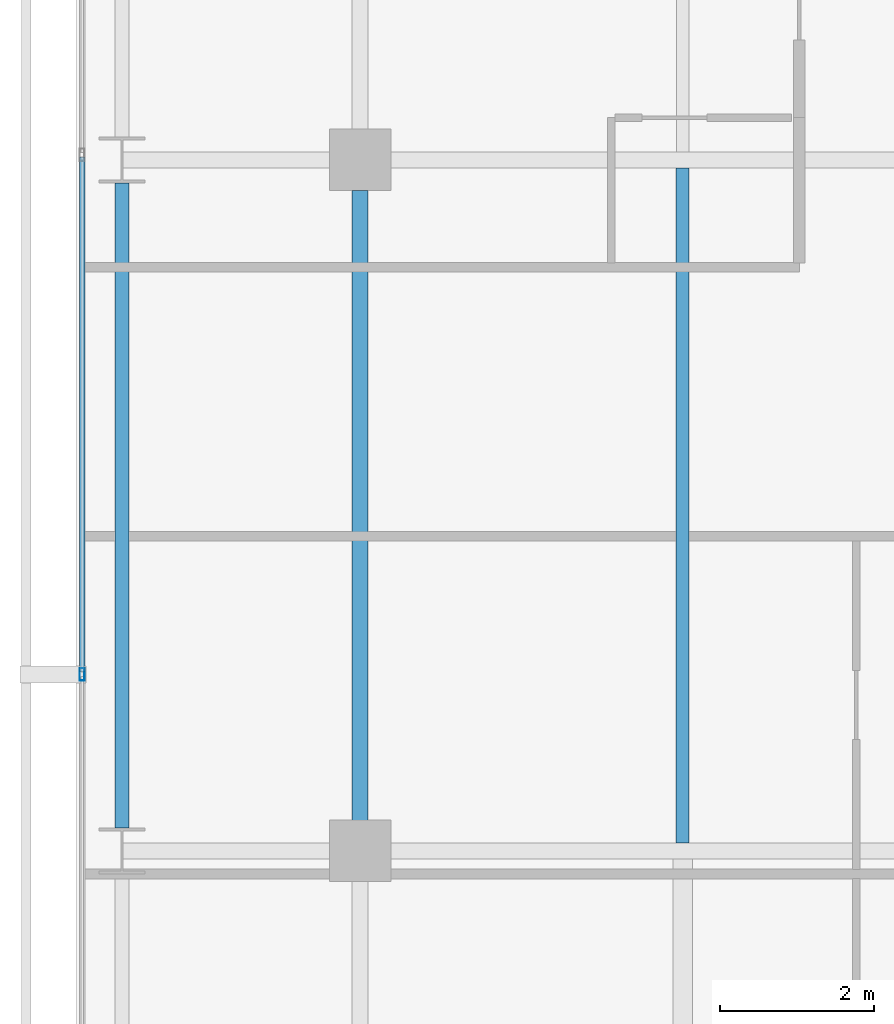
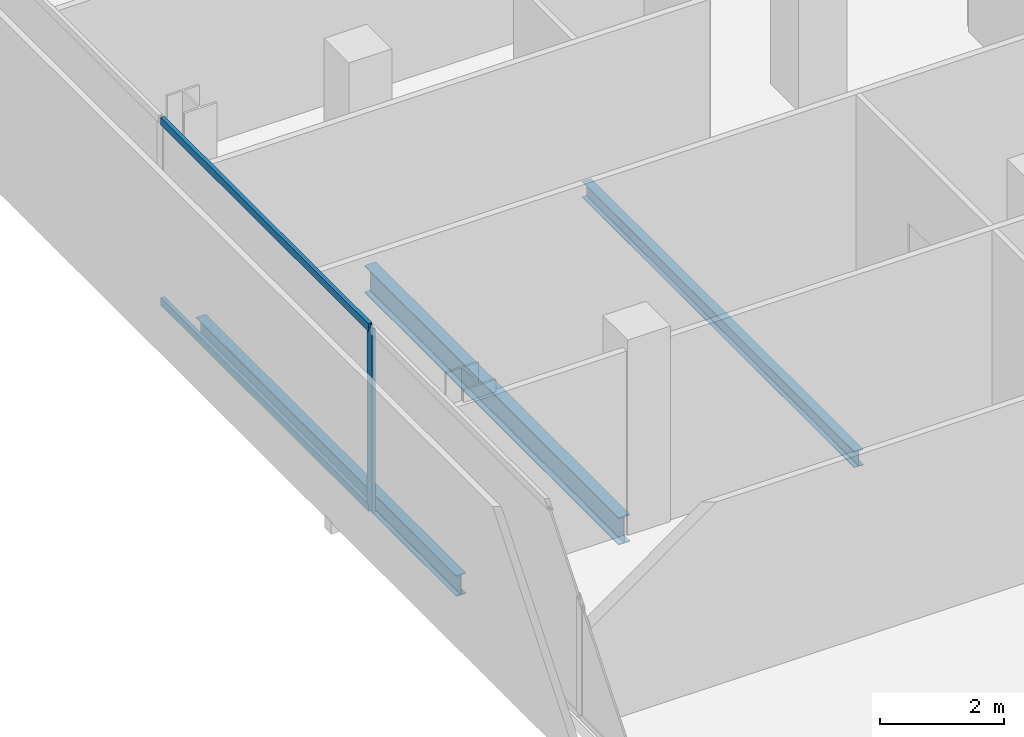
# One storey, part 10 of 34: 3 beams, 3 members, 1 element without a shape of its own.
"""IFC4 building model written with IfcOpenShell, lengths in metres."""

from ifc_helpers import new_model, si_unit, direction, frame, origin, origin_2d, place, context, subcontext, project, spatial, hollow_rectangle, i_section, extrude, material, layer, layer_set, material_profile, profile_set, type_object, element, aggregate, save


model = new_model("IFC4")

# Units and contexts
model_context = context("Model", 3, precision=1e-05, world=origin(), true_north=direction((0.0, 1.0)))
body_context = subcontext(model_context, "Body", "Model", "MODEL_VIEW")
ifc_project = project(units=[si_unit("LENGTHUNIT", "METRE"), si_unit("AREAUNIT", "SQUARE_METRE"), si_unit("VOLUMEUNIT", "CUBIC_METRE"), si_unit("PLANEANGLEUNIT", "RADIAN"), si_unit("MASSUNIT", "GRAM", prefix="KILO")], contexts=[model_context])

# Site, building, storey
site_placement = place(None, origin())
site = spatial("IfcSite", under=ifc_project, at=site_placement, CompositionType="ELEMENT")
building_placement = place(site_placement, origin())
building = spatial("IfcBuilding", under=site, at=building_placement, Name="Maruvema Waterfront Hotel and Observation Tower", CompositionType="ELEMENT")
storey_placement = place(building_placement, frame((0.0, 0.0, 208.25)))
storey = spatial("IfcBuildingStorey", under=building, at=storey_placement, Name="L51", CompositionType="ELEMENT", Elevation=208.25)

# Curtain wall, members
ifc_material_1 = material(Name="Anodised bronze aluminium and solar-control low-E IGU", Category="aluminium")
ifc_layer = layer(ifc_material_1, 0.159912109375, Name="Zone 2 Amber Inner Thermal Curtain Wall System CW-03")
ifc_layer_set = layer_set([ifc_layer], Name="Anodised bronze aluminium and solar-control low-E IGU")
curtain_wall_type = type_object("IfcCurtainWallType", Name="Zone 2 Amber Inner Thermal Curtain Wall System CW-03", PredefinedType="USERDEFINED", material=ifc_layer_set)
curtain_wall_placement = place(storey_placement, origin())
curtain_wall = element("IfcCurtainWall", 1, at=curtain_wall_placement, inside=storey, type_object=curtain_wall_type, Name="L51 Curtain Wall CW-L51-W", ObjectType="UNITISED CURTAIN WALL", PredefinedType="USERDEFINED")
ifc_material_2 = material(Name="Anodised architectural bronze aluminium", Category="aluminium")
ifc_material_profile_1 = material_profile(ifc_material_2, hollow_rectangle(XDim=0.070068359375, YDim=0.14990234375, WallThickness=0.00390625, at=origin_2d()), Name="ALU-T70x150")
ifc_profile_set_1 = profile_set([ifc_material_profile_1], Name="Anodised architectural bronze aluminium")
member_type_1 = type_object("IfcMemberType", Name="Curtain Wall Horizontal Transom ALU-T70x150", PredefinedType="USERDEFINED", material=ifc_profile_set_1)
member_1_placement = place(storey_placement, frame((13.179931640625, 36.03662109375, 0.030029296875), z_axis=(0.0, -1.0, 0.0), x_axis=(1.0, 0.0, 0.0)))
member_1 = element("IfcMember", 2, at=member_1_placement, type_object=member_type_1, Name="CW-03 transom 3.1", ObjectType="TRANSOM", PredefinedType="USERDEFINED", context=body_context, shape_type="SweptSolid", body=[
    extrude(hollow_rectangle(XDim=0.070068359375, YDim=0.14990234375, WallThickness=0.00390625, at=origin_2d()), origin(), (0.0, 0.0, 1.0), 6.70654296875),
])
member_2_placement = place(storey_placement, frame((13.179931640625, 36.03662109375, 3.580078125), z_axis=(0.0, -1.0, 0.0), x_axis=(1.0, 0.0, 0.0)))
member_2 = element("IfcMember", 3, at=member_2_placement, type_object=member_type_1, Name="CW-03 transom 3.2", ObjectType="TRANSOM", PredefinedType="USERDEFINED", context=body_context, shape_type="SweptSolid", body=[
    extrude(hollow_rectangle(XDim=0.070068359375, YDim=0.14990234375, WallThickness=0.00390625, at=origin_2d()), origin(), (0.0, 0.0, 1.0), 6.70654296875),
])
ifc_material_3 = material(Name="Anodised architectural bronze aluminium", Category="aluminium")
ifc_material_profile_2 = material_profile(ifc_material_3, hollow_rectangle(XDim=0.06494140625, YDim=0.1650390625, WallThickness=0.00390625, at=origin_2d()), Name="ALU-M65x165")
ifc_profile_set_2 = profile_set([ifc_material_profile_2], Name="Anodised architectural bronze aluminium")
member_type_2 = type_object("IfcMemberType", Name="Curtain Wall Primary Mullion ALU-M65x165", PredefinedType="MULLION", material=ifc_profile_set_2)
member_3_placement = place(storey_placement, frame((13.179931640625, 29.300048828125, 0.0), z_axis=(0.0, 0.0, 1.0), x_axis=(1.0, 0.0, 0.0)))
member_3 = element("IfcMember", 4, at=member_3_placement, type_object=member_type_2, Name="CW-03 mullion 4", PredefinedType="MULLION", context=body_context, shape_type="SweptSolid", body=[
    extrude(hollow_rectangle(XDim=0.06494140625, YDim=0.1650390625, WallThickness=0.00390625, at=origin_2d()), origin(), (0.0, 0.0, 1.0), 3.610107421875),
])
aggregate(curtain_wall, [member_3, member_1, member_2])

# Beams
ifc_material_4 = material(Name="Steel ASTM A572 Grade 50", Category="steel")
ifc_material_profile_3 = material_profile(ifc_material_4, i_section(OverallWidth=0.178955078125, OverallDepth=0.409912109375, WebThickness=0.0087890625, FlangeThickness=0.014404296875, FilletRadius=0.014892578125, at=origin_2d()), Name="W410x67.0")
ifc_profile_set_3 = profile_set([ifc_material_profile_3], Name="Steel ASTM A572 Grade 50")
beam_type_1 = type_object("IfcBeamType", Name="Perimeter Spandrel Beam W410x67.0", PredefinedType="SPANDREL", material=ifc_profile_set_3)
beam_1_placement = place(storey_placement, frame((13.699951171875, 27.300048828125, -0.445068359375), z_axis=(0.0, 1.0, 0.0), x_axis=(-1.0, 0.0, 0.0)))
element("IfcBeam", 5, at=beam_1_placement, inside=storey, type_object=beam_type_1, Name="L51 Floor Girder NS-03", PredefinedType="SPANDREL", context=body_context, shape_type="SweptSolid", body=[
    extrude(i_section(OverallWidth=0.178955078125, OverallDepth=0.409912109375, WebThickness=0.0087890625, FlangeThickness=0.014404296875, FilletRadius=0.014892578125, at=origin_2d()), origin(), (0.0, 0.0, 1.0), 8.39990234375),
])
ifc_material_5 = material(Name="Steel ASTM A572 Grade 50", Category="steel")
ifc_material_profile_4 = material_profile(ifc_material_5, i_section(OverallWidth=0.2109375, OverallDepth=0.5390625, WebThickness=0.01171875, FlangeThickness=0.018798828125, FilletRadius=0.014892578125, at=origin_2d()), Name="W530x109.0")
ifc_profile_set_4 = profile_set([ifc_material_profile_4], Name="Steel ASTM A572 Grade 50")
beam_type_2 = type_object("IfcBeamType", Name="Primary Floor Girder W530x109.0", PredefinedType="BEAM", material=ifc_profile_set_4)
beam_2_placement = place(storey_placement, frame((16.800048828125, 27.39990234375, -0.509521484375), z_axis=(0.0, 1.0, 0.0), x_axis=(-1.0, 0.0, 0.0)))
element("IfcBeam", 6, at=beam_2_placement, inside=storey, type_object=beam_type_2, Name="L51 Floor Girder NS-07", PredefinedType="BEAM", context=body_context, shape_type="SweptSolid", body=[
    extrude(i_section(OverallWidth=0.2109375, OverallDepth=0.5390625, WebThickness=0.01171875, FlangeThickness=0.018798828125, FilletRadius=0.014892578125, at=origin_2d()), origin(), (0.0, 0.0, 1.0), 8.2001953125),
])
ifc_material_6 = material(Name="Steel ASTM A572 Grade 50", Category="steel")
ifc_material_profile_5 = material_profile(ifc_material_6, i_section(OverallWidth=0.1669921875, OverallDepth=0.31689453125, WebThickness=0.007568359375, FlangeThickness=0.01318359375, FilletRadius=0.012939453125, at=origin_2d()), Name="W310x52.0")
ifc_profile_set_5 = profile_set([ifc_material_profile_5], Name="Steel ASTM A572 Grade 50")
beam_type_3 = type_object("IfcBeamType", Name="Secondary Floor Joist W310x52.0", PredefinedType="JOIST", material=ifc_profile_set_5)
beam_3_placement = place(storey_placement, frame((21.0, 27.10546875, -0.3984375), z_axis=(0.0, 1.0, 0.0), x_axis=(-1.0, 0.0, 0.0)))
element("IfcBeam", 7, at=beam_3_placement, inside=storey, type_object=beam_type_3, Name="L51 Secondary Floor Joist JS-03", PredefinedType="JOIST", context=body_context, shape_type="SweptSolid", body=[
    extrude(i_section(OverallWidth=0.1669921875, OverallDepth=0.31689453125, WebThickness=0.007568359375, FlangeThickness=0.01318359375, FilletRadius=0.012939453125, at=origin_2d()), origin(), (0.0, 0.0, 1.0), 8.7890625),
])

save(model, "model.ifc")
